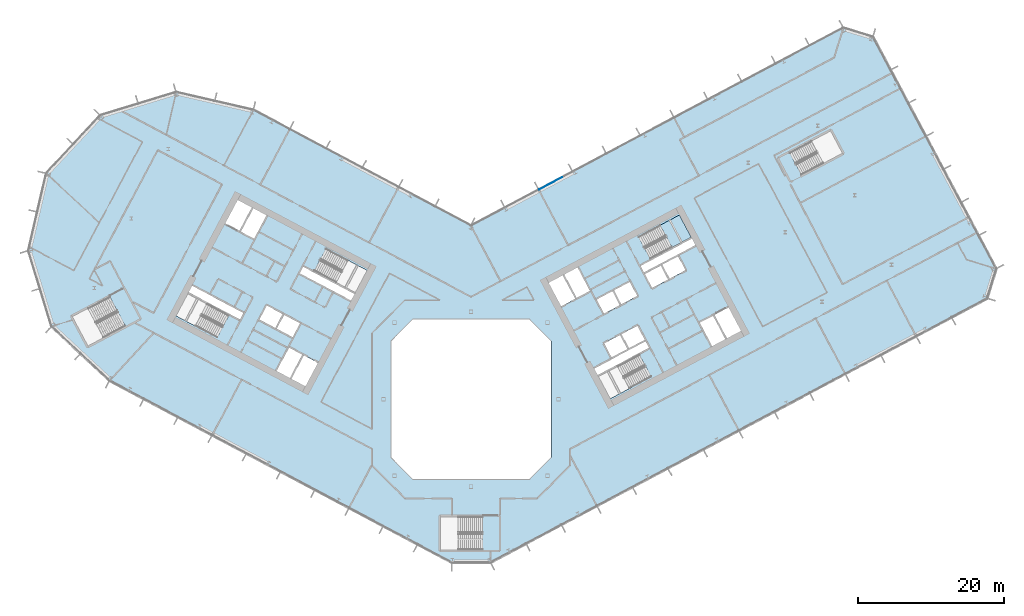
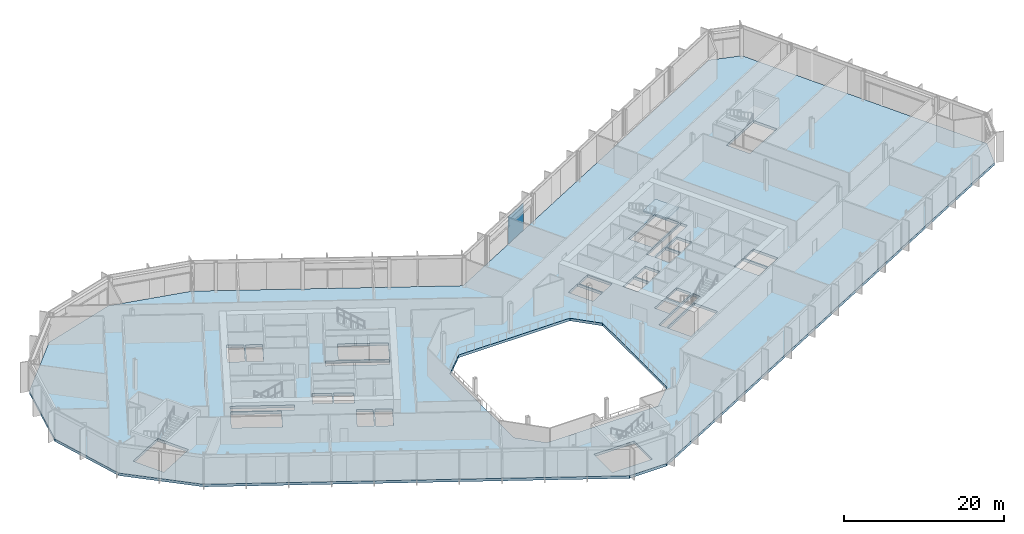
# One storey, part 12 of 32: 2 slabs, 1 plate, 2 elements without a shape of their own.
"""IFC4 building model written with IfcOpenShell, lengths in metres."""

from ifc_helpers import new_model, si_unit, direction, frame, origin, origin_2d, place, context, subcontext, project, spatial, polyline, rectangle, outline, extrude, material, layer, layer_set, type_object, element, aggregate, save


model = new_model("IFC4")

# Units and contexts
model_context = context("Model", 3, precision=1e-05, world=origin(), true_north=direction((0.0, 1.0)))
body_context = subcontext(model_context, "Body", "Model", "MODEL_VIEW")
ifc_project = project(units=[si_unit("LENGTHUNIT", "METRE"), si_unit("AREAUNIT", "SQUARE_METRE"), si_unit("VOLUMEUNIT", "CUBIC_METRE"), si_unit("PLANEANGLEUNIT", "RADIAN"), si_unit("MASSUNIT", "GRAM", prefix="KILO")], contexts=[model_context])

# Site, building, storey
site_placement = place(None, origin())
site = spatial("IfcSite", under=ifc_project, at=site_placement, CompositionType="ELEMENT")
building_placement = place(site_placement, origin())
building = spatial("IfcBuilding", under=site, at=building_placement, Name="Cormorant Relay Tower", CompositionType="ELEMENT")
storey_placement = place(building_placement, frame((0.0, 0.0, 75.39990234375)))
storey = spatial("IfcBuildingStorey", under=building, at=storey_placement, Name="L14", CompositionType="ELEMENT", Elevation=75.39990234375)

# Curtain wall, plate
ifc_material_1 = material(Name="Aluminium 6063-T6 anodised bronze", Category="aluminium")
ifc_layer_1 = layer(ifc_material_1, 0.199951171875)
ifc_layer_set_1 = layer_set([ifc_layer_1], Name="CW1 unitised bronze curtain wall with vertical fins")
curtain_wall_type = type_object("IfcCurtainWallType", Name="CW1 unitised bronze curtain wall with vertical fins", PredefinedType="NOTDEFINED", material=ifc_layer_set_1)
curtain_wall_placement = place(storey_placement, origin())
curtain_wall = element("IfcCurtainWall", 1, at=curtain_wall_placement, inside=storey, type_object=curtain_wall_type, Name="CW1 curtain wall 6", PredefinedType="NOTDEFINED")
ifc_material_2 = material(Name="Tinted laminated glass", Category="glass")
ifc_layer_2 = layer(ifc_material_2, 0.0400390625)
ifc_layer_set_2 = layer_set([ifc_layer_2], Name="CW1 tinted vision panel 3600 module")
plate_type = type_object("IfcPlateType", Name="CW1 tinted vision panel 3600 module", PredefinedType="CURTAIN_PANEL", material=ifc_layer_set_2)
plate_placement = place(storey_placement, frame((10.9306640625, 29.618408203125, 0.000244140625), z_axis=(0.0, 0.0, 1.0), x_axis=(-0.882947592859, -0.469471562786, 0.0)))
plate = element("IfcPlate", 2, at=plate_placement, type_object=plate_type, Name="CW1 panel V08", PredefinedType="CURTAIN_PANEL", context=body_context, shape_type="SweptSolid", body=[
    extrude(rectangle(XDim=3.60009765625, YDim=0.0400390625, at=origin_2d()), origin(), (0.0, 0.0, 1.0), 4.14990234375),
])
aggregate(curtain_wall, [plate])

# Stair, slab
ifc_material_3 = material(Name="Concrete 40 MPa", Category="concrete")
stair_type = type_object("IfcStairType", Name="Exit stair 1500", PredefinedType="HALF_TURN_STAIR", material=ifc_material_3)
stair_placement = place(storey_placement, origin())
stair = element("IfcStair", 3, at=stair_placement, inside=storey, type_object=stair_type, Name="L14 Stair", PredefinedType="HALF_TURN_STAIR")
ifc_material_4 = material(Name="Concrete 40 MPa", Category="concrete")
ifc_layer_3 = layer(ifc_material_4, 0.199951171875)
ifc_layer_set_3 = layer_set([ifc_layer_3], Name="Exit stair landing 200")
slab_type_1 = type_object("IfcSlabType", Name="Exit stair landing 200", PredefinedType="LANDING", material=ifc_layer_set_3)
slab_1_placement = place(storey_placement, frame((0.0, 0.0, 2.10009765625)))
slab_1 = element("IfcSlab", 4, at=slab_1_placement, type_object=slab_type_1, Name="B2 landing 1", PredefinedType="LANDING", context=body_context, shape_type="SweptSolid", body=[
    extrude(outline(polyline([(27.558837890625, 20.82568359375), (30.19873046875, 22.2294921875), (28.5791015625, 25.275634765625), (25.93896484375, 23.871826171875), (27.558837890625, 20.82568359375)])), origin(), (0.0, 0.0, 1.0), 0.199951171875),
])
aggregate(stair, [slab_1])

# Slab
ifc_material_5 = material(Name="Concrete 40 MPa", Category="concrete")
ifc_layer_4 = layer(ifc_material_5, 0.39990234375)
ifc_layer_set_4 = layer_set([ifc_layer_4], Name="Flat plate 400")
slab_type_2 = type_object("IfcSlabType", Name="Flat plate 400", PredefinedType="FLOOR", material=ifc_layer_set_4)
slab_2_placement = place(storey_placement, frame((0.0, 0.0, -0.39990234375)))
element("IfcSlab", 5, at=slab_2_placement, inside=storey, type_object=slab_type_2, Name="Floor slab L14", PredefinedType="FLOOR", context=body_context, shape_type="SweptSolid", body=[
    extrude(outline(polyline([(-60.7197265625, 20.393310546875), (-58.2744140625, 30.985107421875), (-50.86083984375, 38.935302734375), (-40.465576171875, 42.11328125), (-29.873779296875, 39.668212890625), (0.0, 23.783935546875), (51.064453125, 50.935302734375), (55.12158203125, 49.695068359375), (72.022705078125, 17.908935546875), (70.7822265625, 13.8515625), (2.648681640625, -22.37548828125), (-2.648681640625, -22.37548828125), (-49.591552734375, 2.584228515625), (-57.541748046875, 9.997802734375), (-60.7197265625, 20.393310546875)]), holes=[polyline([(11.0, -8.0), (11.0, 8.0), (8.0, 11.0), (-8.0, 11.0), (-11.0, 8.0), (-11.0, -8.0), (-8.0, -11.0), (8.0, -11.0), (11.0, -8.0)]), polyline([(-4.199951171875, -16.125), (-4.199951171875, -20.675048828125), (1.60009765625, -20.675048828125), (1.60009765625, -16.125), (-4.199951171875, -16.125)]), polyline([(-22.95458984375, 6.03271484375), (-24.668212890625, 2.81005859375), (-22.725830078125, 1.777099609375), (-21.01220703125, 5.0), (-23.04296875, 6.07958984375), (-22.95458984375, 6.03271484375)]), polyline([(-24.985595703125, 7.112548828125), (-26.69921875, 3.889892578125), (-24.844970703125, 2.90380859375), (-23.13134765625, 6.126708984375), (-23.04296875, 6.07958984375), (-24.985595703125, 7.112548828125)]), polyline([(-26.688720703125, 9.660400390625), (-24.481201171875, 8.48681640625), (-23.448486328125, 10.42919921875), (-25.656005859375, 11.602783203125), (-26.688720703125, 9.660400390625)]), polyline([(-49.57861328125, 14.0537109375), (-54.69970703125, 11.330810546875), (-52.563720703125, 7.3134765625), (-47.442626953125, 10.036376953125), (-49.57861328125, 14.0537109375)]), polyline([(-28.039794921875, 12.870361328125), (-29.07275390625, 10.927978515625), (-26.865234375, 9.75439453125), (-25.83251953125, 11.69677734375), (-28.039794921875, 12.870361328125)]), polyline([(-38.847900390625, 14.483154296875), (-40.46728515625, 11.43701171875), (-34.860595703125, 8.455810546875), (-33.240966796875, 11.502197265625), (-38.847900390625, 14.483154296875)]), polyline([(-38.260986328125, 15.5869140625), (-38.75390625, 14.659912109375), (-31.690185546875, 10.904052734375), (-31.197265625, 11.8310546875), (-38.260986328125, 15.5869140625)]), polyline([(14.3056640625, 13.779052734375), (12.592041015625, 17.001708984375), (10.649658203125, 15.968994140625), (12.36328125, 12.74609375), (14.39404296875, 13.825927734375), (14.3056640625, 13.779052734375)]), polyline([(16.33642578125, 14.85888671875), (14.622802734375, 18.08154296875), (12.768798828125, 17.095703125), (14.482421875, 13.872802734375), (14.39404296875, 13.825927734375), (16.33642578125, 14.85888671875)]), polyline([(-16.481689453125, 13.520263671875), (-15.989013671875, 14.447509765625), (-23.052490234375, 18.203125), (-23.54541015625, 17.276123046875), (-16.481689453125, 13.520263671875)]), polyline([(-21.501708984375, 17.605224609375), (-15.89501953125, 14.6240234375), (-14.275390625, 17.670166015625), (-19.882080078125, 20.6513671875), (-21.501708984375, 17.605224609375)]), polyline([(-31.611572265625, 22.980712890625), (-29.75732421875, 21.99462890625), (-28.043701171875, 25.217529296875), (-29.89794921875, 26.203369140625), (-31.611572265625, 22.980712890625)]), polyline([(-33.73046875, 24.107421875), (-31.7880859375, 23.074462890625), (-30.074462890625, 26.29736328125), (-32.01708984375, 27.330078125), (-33.73046875, 24.107421875)]), polyline([(23.087158203125, 6.10302734375), (17.48046875, 3.1220703125), (19.10009765625, 0.07568359375), (24.706787109375, 3.056884765625), (23.087158203125, 6.10302734375)]), polyline([(16.8935546875, 4.2255859375), (17.386474609375, 3.298583984375), (24.4501953125, 7.054443359375), (23.957275390625, 7.9814453125), (16.8935546875, 4.2255859375)]), polyline([(20.446533203125, 8.8330078125), (18.239013671875, 7.6591796875), (19.27197265625, 5.716796875), (21.479248046875, 6.890380859375), (20.446533203125, 8.8330078125)]), polyline([(22.830322265625, 10.1005859375), (20.623046875, 8.927001953125), (21.656005859375, 6.984375), (23.86328125, 8.158203125), (22.830322265625, 10.1005859375)]), polyline([(33.197021484375, 11.478515625), (31.3427734375, 10.49267578125), (33.056396484375, 7.27001953125), (34.910400390625, 8.255859375), (33.197021484375, 11.478515625)]), polyline([(33.37353515625, 11.572509765625), (35.087158203125, 8.349609375), (37.029541015625, 9.382568359375), (35.31591796875, 12.605224609375), (33.37353515625, 11.572509765625)]), polyline([(19.401123046875, 14.84619140625), (17.19384765625, 13.67236328125), (18.2265625, 11.72998046875), (20.43408203125, 12.903564453125), (19.401123046875, 14.84619140625)]), polyline([(22.81787109375, 14.171142578125), (21.78515625, 16.113525390625), (19.57763671875, 14.93994140625), (20.610595703125, 12.99755859375), (22.81787109375, 14.171142578125)]), polyline([(26.023193359375, 18.3671875), (23.81591796875, 17.193359375), (24.8486328125, 15.2509765625), (27.05615234375, 16.424560546875), (26.023193359375, 18.3671875)]), polyline([(29.440185546875, 17.692138671875), (28.4072265625, 19.634765625), (26.19970703125, 18.4609375), (27.232666015625, 16.5185546875), (29.440185546875, 17.692138671875)]), polyline([(30.78564453125, 21.125732421875), (30.29248046875, 22.052978515625), (23.22900390625, 18.297119140625), (23.721923828125, 17.3701171875), (30.78564453125, 21.125732421875)]), polyline([(24.592041015625, 19.248291015625), (30.19873046875, 22.2294921875), (28.5791015625, 25.275634765625), (22.972412109375, 22.29443359375), (24.592041015625, 19.248291015625)]), polyline([(45.3349609375, 30.773681640625), (50.941650390625, 33.7548828125), (49.322021484375, 36.801025390625), (43.715087890625, 33.81982421875), (45.3349609375, 30.773681640625)])]), origin(), (0.0, 0.0, 1.0), 0.39990234375),
])

save(model, "model.ifc")
